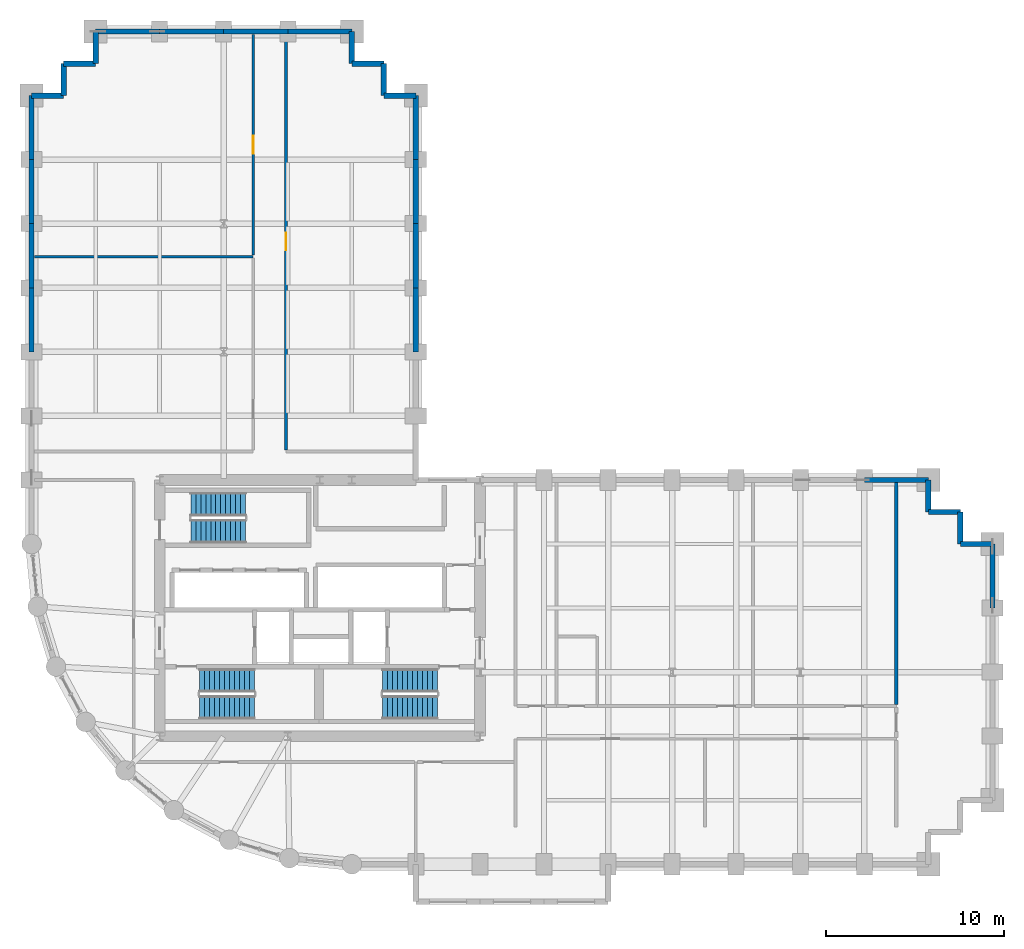
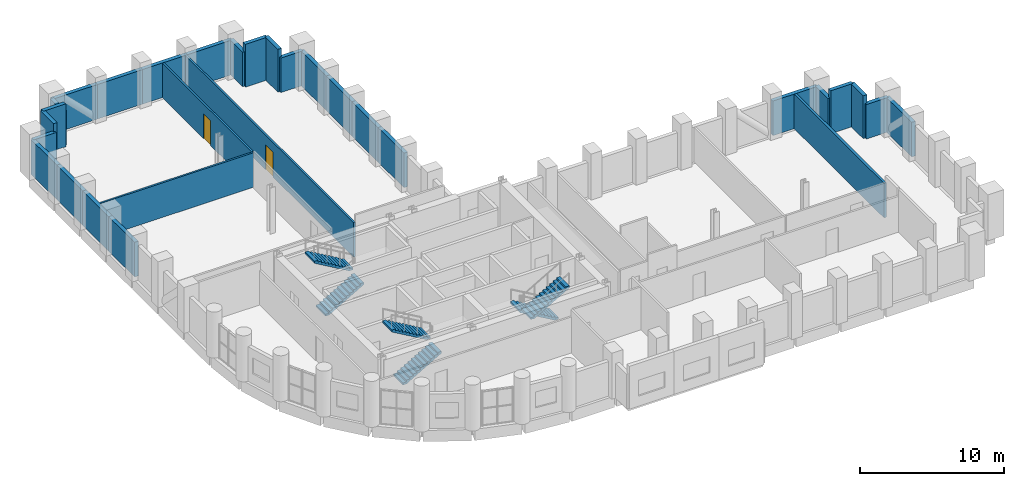
# One storey, part 11 of 12: 30 walls, 6 stair flights, 2 doors, 2 openings, 3 elements without a shape of their own.
"""IFC4 building model written with IfcOpenShell, lengths in metres."""

from ifc_helpers import new_model, si_unit, direction, frame, frame_2d, origin, place, context, subcontext, project, spatial, polyline, rectangle, outline, extrude, material, layer, layer_set, type_object, element, fill, aggregate, save


model = new_model("IFC4")

# Units and contexts
model_context = context("Model", 3, precision=1e-05, world=origin(), true_north=direction((0.0, 1.0)))
body_context = subcontext(model_context, "Body", "Model", "MODEL_VIEW")
ifc_project = project(units=[si_unit("LENGTHUNIT", "METRE"), si_unit("AREAUNIT", "SQUARE_METRE"), si_unit("VOLUMEUNIT", "CUBIC_METRE"), si_unit("PLANEANGLEUNIT", "RADIAN"), si_unit("MASSUNIT", "GRAM", prefix="KILO")], contexts=[model_context])

# Site, building, storey
site_placement = place(None, origin())
site = spatial("IfcSite", under=ifc_project, at=site_placement, CompositionType="ELEMENT")
building_placement = place(site_placement, origin())
building = spatial("IfcBuilding", under=site, at=building_placement, Name="Solnavia Interchange Tower", CompositionType="ELEMENT")
storey_placement = place(building_placement, frame((0.0, 0.0, 27.89990234375)))
storey = spatial("IfcBuildingStorey", under=building, at=storey_placement, Name="L06", CompositionType="ELEMENT", Elevation=27.89990234375)

# Walls
ifc_material_1 = material(Name="Gypsum Acoustic Twin-Stud & Mineral Wool", Category="gypsum")
ifc_layer_1 = layer(ifc_material_1, 0.199951171875)
ifc_layer_set_1 = layer_set([ifc_layer_1], Name="Gypsum Acoustic Twin-Stud & Mineral Wool")
wall_type_1 = type_object("IfcWallType", Name="Wall-ApartmentParty-200", PredefinedType="PARTITIONING", material=ifc_layer_set_1)
wall_1_placement = place(storey_placement, frame((55.800048828125, 12.5791015625, 0.0), z_axis=(0.0, 0.0, 1.0), x_axis=(0.0, 1.0, 0.0)))
element("IfcWall", 1, at=wall_1_placement, inside=storey, type_object=wall_type_1, Name="PTW-L06-21 Interior partition wall", PredefinedType="PARTITIONING", context=body_context, shape_type="SweptSolid", body=[
    extrude(rectangle(XDim=12.466796875, YDim=0.199951171875, at=frame_2d((6.2333984375, 0.0))), origin(), (0.0, 0.0, 1.0), 2.93017578125),
])
ifc_material_2 = material(Name="Concrete C40/50", Category="concrete")
ifc_layer_2 = layer(ifc_material_2, 0.300048828125)
ifc_layer_set_2 = layer_set([ifc_layer_2], Name="Concrete C40/50")
wall_type_2 = type_object("IfcWallType", Name="Wall-ExtSpandrel-300", PredefinedType="STANDARD", material=ifc_layer_set_2)
wall_2_placement = place(storey_placement, frame((61.199951171875, 21.60009765625, 0.0), z_axis=(0.0, 0.0, 1.0), x_axis=(0.0, -1.0, 0.0)))
element("IfcWall", 2, at=wall_2_placement, inside=storey, type_object=wall_type_2, Name="EXW-L06-19 Exterior precast spandrel wall", PredefinedType="STANDARD", context=body_context, shape_type="SweptSolid", body=[
    extrude(rectangle(XDim=3.60009765625, YDim=0.300048828125, at=frame_2d((1.800048828125, 0.0))), origin(), (0.0, 0.0, 1.0), 2.93017578125),
])
wall_3_placement = place(storey_placement, frame((61.199951171875, 21.60009765625, 0.0), z_axis=(0.0, 0.0, 1.0), x_axis=(-1.0, 0.0, 0.0)))
element("IfcWall", 3, at=wall_3_placement, inside=storey, type_object=wall_type_2, Name="EXW-L06-20 Exterior precast spandrel wall", PredefinedType="STANDARD", context=body_context, shape_type="SweptSolid", body=[
    extrude(rectangle(XDim=1.800048828125, YDim=0.300048828125, at=frame_2d((0.89990234375, 0.0))), origin(), (0.0, 0.0, 1.0), 2.93017578125),
])
for number, where, z_axis, x_axis, name in (
    (4, (59.39990234375, 23.39990234375, 0.0), (0.0, 0.0, 1.0), (0.0, -1.0, 0.0), "EXW-L06-21 Exterior precast spandrel wall"),
    (5, (57.60009765625, 23.39990234375, 0.0), (0.0, 0.0, 1.0), (1.0, 0.0, 0.0), "EXW-L06-22 Exterior precast spandrel wall"),
):
    element("IfcWall", number, at=place(storey_placement, frame(where, z_axis=z_axis, x_axis=x_axis)), inside=storey, type_object=wall_type_2, Name=name, PredefinedType="STANDARD", context=body_context, shape_type="SweptSolid", body=[
        extrude(rectangle(XDim=1.7998046875, YDim=0.300048828125, at=frame_2d((0.89990234375, 0.0))), origin(), (0.0, 0.0, 1.0), 3.635009765625),
    ])
wall_4_placement = place(storey_placement, frame((57.60009765625, 25.199951171875, 0.0), z_axis=(0.0, 0.0, 1.0), x_axis=(0.0, -1.0, 0.0)))
element("IfcWall", 6, at=wall_4_placement, inside=storey, type_object=wall_type_2, Name="EXW-L06-23 Exterior precast spandrel wall", PredefinedType="STANDARD", context=body_context, shape_type="SweptSolid", body=[
    extrude(rectangle(XDim=1.800048828125, YDim=0.300048828125, at=frame_2d((0.89990234375, 0.0))), origin(), (0.0, 0.0, 1.0), 2.93017578125),
])
for number, where, z_axis, x_axis, name in (
    (7, (54.0, 25.199951171875, 0.0), (0.0, 0.0, 1.0), (1.0, 0.0, 0.0), "EXW-L06-24 Exterior precast spandrel wall"),
    (8, (28.800048828125, 32.39990234375, 0.0), (0.0, 0.0, 1.0), (0.0, 1.0, 0.0), "EXW-L06-34 Exterior precast spandrel wall"),
    (9, (28.800048828125, 36.0, 0.0), (0.0, 0.0, 1.0), (0.0, 1.0, 0.0), "EXW-L06-35 Exterior precast spandrel wall"),
):
    element("IfcWall", number, at=place(storey_placement, frame(where, z_axis=z_axis, x_axis=x_axis)), inside=storey, type_object=wall_type_2, Name=name, PredefinedType="STANDARD", context=body_context, shape_type="SweptSolid", body=[
        extrude(rectangle(XDim=3.60009765625, YDim=0.300048828125, at=frame_2d((1.800048828125, 0.0))), origin(), (0.0, 0.0, 1.0), 2.93017578125),
    ])
wall_5_placement = place(storey_placement, frame((28.800048828125, 39.60009765625, 0.0), z_axis=(0.0, 0.0, 1.0), x_axis=(0.0, 1.0, 0.0)))
element("IfcWall", 10, at=wall_5_placement, inside=storey, type_object=wall_type_2, Name="EXW-L06-36 Exterior precast spandrel wall", PredefinedType="STANDARD", context=body_context, shape_type="SweptSolid", body=[
    extrude(rectangle(XDim=3.599853515625, YDim=0.300048828125, at=frame_2d((1.7998046875, 0.0))), origin(), (0.0, 0.0, 1.0), 2.93017578125),
])
wall_6_placement = place(storey_placement, frame((28.800048828125, 43.199951171875, 0.0), z_axis=(0.0, 0.0, 1.0), x_axis=(0.0, 1.0, 0.0)))
element("IfcWall", 11, at=wall_6_placement, inside=storey, type_object=wall_type_2, Name="EXW-L06-37 Exterior precast spandrel wall", PredefinedType="STANDARD", context=body_context, shape_type="SweptSolid", body=[
    extrude(rectangle(XDim=3.60009765625, YDim=0.300048828125, at=frame_2d((1.800048828125, 0.0))), origin(), (0.0, 0.0, 1.0), 2.93017578125),
])
wall_7_placement = place(storey_placement, frame((27.0, 46.800048828125, 0.0), z_axis=(0.0, 0.0, 1.0), x_axis=(1.0, 0.0, 0.0)))
element("IfcWall", 12, at=wall_7_placement, inside=storey, type_object=wall_type_2, Name="EXW-L06-38 Exterior precast spandrel wall", PredefinedType="STANDARD", context=body_context, shape_type="SweptSolid", body=[
    extrude(rectangle(XDim=1.800048828125, YDim=0.300048828125, at=frame_2d((0.89990234375, 0.0))), origin(), (0.0, 0.0, 1.0), 2.93017578125),
])
for number, where, z_axis, x_axis, name in (
    (13, (27.0, 46.800048828125, 0.0), (0.0, 0.0, 1.0), (0.0, 1.0, 0.0), "EXW-L06-39 Exterior precast spandrel wall"),
    (14, (25.199951171875, 48.60009765625, 0.0), (0.0, 0.0, 1.0), (1.0, 0.0, 0.0), "EXW-L06-40 Exterior precast spandrel wall"),
):
    element("IfcWall", number, at=place(storey_placement, frame(where, z_axis=z_axis, x_axis=x_axis)), inside=storey, type_object=wall_type_2, Name=name, PredefinedType="STANDARD", context=body_context, shape_type="SweptSolid", body=[
        extrude(rectangle(XDim=1.800048828125, YDim=0.300048828125, at=frame_2d((0.89990234375, 0.0))), origin(), (0.0, 0.0, 1.0), 3.635009765625),
    ])
wall_8_placement = place(storey_placement, frame((25.199951171875, 48.60009765625, 0.0), z_axis=(0.0, 0.0, 1.0), x_axis=(0.0, 1.0, 0.0)))
element("IfcWall", 15, at=wall_8_placement, inside=storey, type_object=wall_type_2, Name="EXW-L06-41 Exterior precast spandrel wall", PredefinedType="STANDARD", context=body_context, shape_type="SweptSolid", body=[
    extrude(rectangle(XDim=1.7998046875, YDim=0.300048828125, at=frame_2d((0.89990234375, 0.0))), origin(), (0.0, 0.0, 1.0), 2.93017578125),
])
wall_9_placement = place(storey_placement, frame((21.60009765625, 50.39990234375, 0.0), z_axis=(0.0, 0.0, 1.0), x_axis=(1.0, 0.0, 0.0)))
element("IfcWall", 16, at=wall_9_placement, inside=storey, type_object=wall_type_2, Name="EXW-L06-42 Exterior precast spandrel wall", PredefinedType="STANDARD", context=body_context, shape_type="SweptSolid", body=[
    extrude(rectangle(XDim=3.599853515625, YDim=0.300048828125, at=frame_2d((1.7998046875, 0.0))), origin(), (0.0, 0.0, 1.0), 2.93017578125),
])
for number, where, z_axis, x_axis, name in (
    (17, (18.0, 50.39990234375, 0.0), (0.0, 0.0, 1.0), (1.0, 0.0, 0.0), "EXW-L06-43 Exterior precast spandrel wall"),
    (18, (14.39990234375, 50.39990234375, 0.0), (0.0, 0.0, 1.0), (1.0, 0.0, 0.0), "EXW-L06-44 Exterior precast spandrel wall"),
):
    element("IfcWall", number, at=place(storey_placement, frame(where, z_axis=z_axis, x_axis=x_axis)), inside=storey, type_object=wall_type_2, Name=name, PredefinedType="STANDARD", context=body_context, shape_type="SweptSolid", body=[
        extrude(rectangle(XDim=3.60009765625, YDim=0.300048828125, at=frame_2d((1.800048828125, 0.0))), origin(), (0.0, 0.0, 1.0), 2.93017578125),
    ])
wall_10_placement = place(storey_placement, frame((10.800048828125, 50.39990234375, 0.0), z_axis=(0.0, 0.0, 1.0), x_axis=(1.0, 0.0, 0.0)))
element("IfcWall", 19, at=wall_10_placement, inside=storey, type_object=wall_type_2, Name="EXW-L06-45 Exterior precast spandrel wall", PredefinedType="STANDARD", context=body_context, shape_type="SweptSolid", body=[
    extrude(rectangle(XDim=3.599853515625, YDim=0.300048828125, at=frame_2d((1.7998046875, 0.0))), origin(), (0.0, 0.0, 1.0), 2.93017578125),
])
wall_11_placement = place(storey_placement, frame((10.800048828125, 48.60009765625, 0.0), z_axis=(0.0, 0.0, 1.0), x_axis=(0.0, 1.0, 0.0)))
element("IfcWall", 20, at=wall_11_placement, inside=storey, type_object=wall_type_2, Name="EXW-L06-46 Exterior precast spandrel wall", PredefinedType="STANDARD", context=body_context, shape_type="SweptSolid", body=[
    extrude(rectangle(XDim=1.7998046875, YDim=0.300048828125, at=frame_2d((0.89990234375, 0.0))), origin(), (0.0, 0.0, 1.0), 2.93017578125),
])
for number, where, z_axis, x_axis, name in (
    (21, (9.0, 48.60009765625, 0.0), (0.0, 0.0, 1.0), (1.0, 0.0, 0.0), "EXW-L06-47 Exterior precast spandrel wall"),
    (22, (9.0, 46.800048828125, 0.0), (0.0, 0.0, 1.0), (0.0, 1.0, 0.0), "EXW-L06-48 Exterior precast spandrel wall"),
):
    element("IfcWall", number, at=place(storey_placement, frame(where, z_axis=z_axis, x_axis=x_axis)), inside=storey, type_object=wall_type_2, Name=name, PredefinedType="STANDARD", context=body_context, shape_type="SweptSolid", body=[
        extrude(rectangle(XDim=1.800048828125, YDim=0.300048828125, at=frame_2d((0.89990234375, 0.0))), origin(), (0.0, 0.0, 1.0), 3.635009765625),
    ])
wall_12_placement = place(storey_placement, frame((7.199951171875, 46.800048828125, 0.0), z_axis=(0.0, 0.0, 1.0), x_axis=(1.0, 0.0, 0.0)))
element("IfcWall", 23, at=wall_12_placement, inside=storey, type_object=wall_type_2, Name="EXW-L06-49 Exterior precast spandrel wall", PredefinedType="STANDARD", context=body_context, shape_type="SweptSolid", body=[
    extrude(rectangle(XDim=1.800048828125, YDim=0.300048828125, at=frame_2d((0.89990234375, 0.0))), origin(), (0.0, 0.0, 1.0), 2.93017578125),
])
wall_13_placement = place(storey_placement, frame((7.199951171875, 43.199951171875, 0.0), z_axis=(0.0, 0.0, 1.0), x_axis=(0.0, 1.0, 0.0)))
element("IfcWall", 24, at=wall_13_placement, inside=storey, type_object=wall_type_2, Name="EXW-L06-50 Exterior precast spandrel wall", PredefinedType="STANDARD", context=body_context, shape_type="SweptSolid", body=[
    extrude(rectangle(XDim=3.60009765625, YDim=0.300048828125, at=frame_2d((1.800048828125, 0.0))), origin(), (0.0, 0.0, 1.0), 2.93017578125),
])
wall_14_placement = place(storey_placement, frame((7.199951171875, 39.60009765625, 0.0), z_axis=(0.0, 0.0, 1.0), x_axis=(0.0, 1.0, 0.0)))
element("IfcWall", 25, at=wall_14_placement, inside=storey, type_object=wall_type_2, Name="EXW-L06-51 Exterior precast spandrel wall", PredefinedType="STANDARD", context=body_context, shape_type="SweptSolid", body=[
    extrude(rectangle(XDim=3.599853515625, YDim=0.300048828125, at=frame_2d((1.7998046875, 0.0))), origin(), (0.0, 0.0, 1.0), 2.93017578125),
])
for number, where, z_axis, x_axis, name in (
    (26, (7.199951171875, 36.0, 0.0), (0.0, 0.0, 1.0), (0.0, 1.0, 0.0), "EXW-L06-52 Exterior precast spandrel wall"),
    (27, (7.199951171875, 32.39990234375, 0.0), (0.0, 0.0, 1.0), (0.0, 1.0, 0.0), "EXW-L06-53 Exterior precast spandrel wall"),
):
    element("IfcWall", number, at=place(storey_placement, frame(where, z_axis=z_axis, x_axis=x_axis)), inside=storey, type_object=wall_type_2, Name=name, PredefinedType="STANDARD", context=body_context, shape_type="SweptSolid", body=[
        extrude(rectangle(XDim=3.60009765625, YDim=0.300048828125, at=frame_2d((1.800048828125, 0.0))), origin(), (0.0, 0.0, 1.0), 2.93017578125),
    ])
ifc_material_3 = material(Name="Gypsum Plasterboard & Steel Stud", Category="steel")
ifc_layer_3 = layer(ifc_material_3, 0.14990234375)
ifc_layer_set_3 = layer_set([ifc_layer_3], Name="Gypsum Plasterboard & Steel Stud")
wall_type_3 = type_object("IfcWallType", Name="Wall-Partition-150", PredefinedType="PARTITIONING", material=ifc_layer_set_3)
wall_15_placement = place(storey_placement, frame((7.35400390625, 37.75, 0.0), z_axis=(0.0, 0.0, 1.0), x_axis=(1.0, 0.0, 0.0)))
element("IfcWall", 28, at=wall_15_placement, inside=storey, type_object=wall_type_3, Name="PTW-L06-24 Interior partition wall", PredefinedType="PARTITIONING", context=body_context, shape_type="SweptSolid", body=[
    extrude(rectangle(XDim=12.2958984375, YDim=0.14990234375, at=frame_2d((6.14794921875, 0.0))), origin(), (0.0, 0.0, 1.0), 2.93017578125),
])

# Wall, opening, door
wall_16_placement = place(storey_placement, frame((19.64990234375, 37.8291015625, 0.0), z_axis=(0.0, 0.0, 1.0), x_axis=(0.0, 1.0, 0.0)))
wall_16 = element("IfcWall", 29, at=wall_16_placement, inside=storey, type_object=wall_type_3, Name="PTW-L06-26 Interior partition wall", PredefinedType="PARTITIONING", context=body_context, shape_type="SweptSolid", body=[
    extrude(rectangle(XDim=12.4169921875, YDim=0.14990234375, at=frame_2d((6.20849609375, 0.0))), origin(), (0.0, 0.0, 1.0), 2.93017578125),
])
opening_1_placement = place(wall_16_placement, frame((5.7060546875, 0.0, 0.0)))
opening_1 = element("IfcOpeningElement", 30, at=opening_1_placement, cuts=wall_16, Name="Opening DR-07", PredefinedType="OPENING", context=body_context, shape_type="SweptSolid", body=[
    extrude(rectangle(XDim=1.0, YDim=2.10009765625, at=frame_2d((0.5, 1.050048828125))), frame((0.0, 0.0849609375, 0.0), z_axis=(0.0, -1.0, 0.0), x_axis=(1.0, 0.0, 0.0)), (0.0, 0.0, 1.0), 0.169921875),
])
ifc_material_4 = material(Name="Timber & Acoustic Glazed Office Door", Category="wood")
door_type = type_object("IfcDoorType", Name="Door-Office-1000x2100", OperationType="SINGLE_SWING_RIGHT", PredefinedType="DOOR", material=ifc_material_4)
door_1_placement = place(opening_1_placement, origin())
door_1 = element("IfcDoor", 31, at=door_1_placement, inside=storey, type_object=door_type, Name="DR-L06-12 Interior room door", OperationType="SINGLE_SWING_RIGHT", OverallHeight=2.10009765625, OverallWidth=1.0, PredefinedType="DOOR", context=body_context, shape_type="SweptSolid", body=[
    extrude(rectangle(XDim=1.0, YDim=2.10009765625, at=frame_2d((0.5, 1.050048828125))), frame((0.0, 0.02490234375, 0.0), z_axis=(0.0, -1.0, 0.0), x_axis=(1.0, 0.0, 0.0)), (0.0, 0.0, 1.0), 0.050048828125),
])
fill(opening_1, door_1)

wall_17_placement = place(storey_placement, frame((21.5, 26.87890625, 0.0), z_axis=(0.0, 0.0, 1.0), x_axis=(0.0, 1.0, 0.0)))
wall_17 = element("IfcWall", 32, at=wall_17_placement, inside=storey, type_object=wall_type_3, Name="PTW-L06-28 Interior partition wall", PredefinedType="PARTITIONING", context=body_context, shape_type="SweptSolid", body=[
    extrude(rectangle(XDim=23.3671875, YDim=0.14990234375, at=frame_2d((11.68359375, 0.0))), origin(), (0.0, 0.0, 1.0), 2.93017578125),
])
opening_2_placement = place(wall_17_placement, frame((11.220947265625, 0.0, 0.0)))
opening_2 = element("IfcOpeningElement", 33, at=opening_2_placement, cuts=wall_17, Name="Opening DR-07", PredefinedType="OPENING", context=body_context, shape_type="SweptSolid", body=[
    extrude(rectangle(XDim=1.0, YDim=2.10009765625, at=frame_2d((0.5, 1.050048828125))), frame((0.0, 0.0849609375, 0.0), z_axis=(0.0, -1.0, 0.0), x_axis=(1.0, 0.0, 0.0)), (0.0, 0.0, 1.0), 0.169921875),
])
door_2_placement = place(opening_2_placement, origin())
door_2 = element("IfcDoor", 34, at=door_2_placement, inside=storey, type_object=door_type, Name="DR-L06-13 Interior room door", OperationType="SINGLE_SWING_LEFT", OverallHeight=2.10009765625, OverallWidth=1.0, PredefinedType="DOOR", context=body_context, shape_type="SweptSolid", body=[
    extrude(rectangle(XDim=1.0, YDim=2.10009765625, at=frame_2d((0.5, 1.050048828125))), frame((0.0, 0.02490234375, 0.0), z_axis=(0.0, -1.0, 0.0), x_axis=(1.0, 0.0, 0.0)), (0.0, 0.0, 1.0), 0.050048828125),
])
fill(opening_2, door_2)

# Stair, stair flights
stair_type = type_object("IfcStairType", Name="Stair-Dogleg-RC", PredefinedType="HALF_TURN_STAIR", material=ifc_material_2)
stair_1_placement = place(storey_placement, origin())
stair_1 = element("IfcStair", 35, at=stair_1_placement, inside=storey, type_object=stair_type, Name="L06 Core exit stair 1", PredefinedType="HALF_TURN_STAIR")
stair_flight_type = type_object("IfcStairFlightType", Name="StairFlight-RC-150", PredefinedType="STRAIGHT", material=ifc_material_2)
stair_flight_1_placement = place(storey_placement, frame((16.64990234375, 12.409912109375, 0.0), z_axis=(0.0, 0.0, 1.0), x_axis=(1.0, 0.0, 0.0)))
stair_flight_1 = element("IfcStairFlight", 36, at=stair_flight_1_placement, type_object=stair_flight_type, Name="ST-1 flight 1", NumberOfRisers=12, NumberOfTreads=11, PredefinedType="STRAIGHT", RiserHeight=0.1625, TreadLength=0.28, context=body_context, shape_type="SweptSolid", body=[
    extrude(outline(polyline([(0.0, 0.0), (0.0, 0.16259765625), (0.280029296875, 0.16259765625), (0.280029296875, 0.324951171875), (0.56005859375, 0.324951171875), (0.56005859375, 0.487548828125), (0.840087890625, 0.487548828125), (0.840087890625, 0.64990234375), (1.1201171875, 0.64990234375), (1.1201171875, 0.8125), (1.39990234375, 0.8125), (1.39990234375, 0.97509765625), (1.679931640625, 0.97509765625), (1.679931640625, 1.137451171875), (1.9599609375, 1.137451171875), (1.9599609375, 1.300048828125), (2.239990234375, 1.300048828125), (2.239990234375, 1.46240234375), (2.52001953125, 1.46240234375), (2.52001953125, 1.625), (2.800048828125, 1.625), (2.800048828125, 1.78759765625), (3.080078125, 1.78759765625), (3.080078125, 1.949951171875), (3.080078125, 1.6142578125), (0.298583984375, 0.0), (0.0, 0.0)])), frame((0.0, 0.66015625, 0.0), z_axis=(0.0, -1.0, 0.0), x_axis=(1.0, 0.0, 0.0)), (0.0, 0.0, 1.0), 1.320068359375),
])
stair_flight_2_placement = place(storey_placement, frame((19.72998046875, 13.929931640625, 1.9501953125), z_axis=(0.0, 0.0, 1.0), x_axis=(-1.0, 0.0, 0.0)))
stair_flight_2 = element("IfcStairFlight", 37, at=stair_flight_2_placement, type_object=stair_flight_type, Name="ST-1 flight 2", NumberOfRisers=12, NumberOfTreads=11, PredefinedType="STRAIGHT", RiserHeight=0.1625, TreadLength=0.28, context=body_context, shape_type="SweptSolid", body=[
    extrude(outline(polyline([(0.0, 0.0), (0.0, 0.16259765625), (0.280029296875, 0.16259765625), (0.280029296875, 0.324951171875), (0.56005859375, 0.324951171875), (0.56005859375, 0.487548828125), (0.840087890625, 0.487548828125), (0.840087890625, 0.64990234375), (1.1201171875, 0.64990234375), (1.1201171875, 0.8125), (1.39990234375, 0.8125), (1.39990234375, 0.97509765625), (1.679931640625, 0.97509765625), (1.679931640625, 1.137451171875), (1.9599609375, 1.137451171875), (1.9599609375, 1.300048828125), (2.239990234375, 1.300048828125), (2.239990234375, 1.46240234375), (2.52001953125, 1.46240234375), (2.52001953125, 1.625), (2.800048828125, 1.625), (2.800048828125, 1.78759765625), (3.080078125, 1.78759765625), (3.080078125, 1.949951171875), (3.080078125, 1.6142578125), (0.298583984375, 0.0), (0.0, 0.0)])), frame((0.0, 0.66015625, 0.0), z_axis=(0.0, -1.0, 0.0), x_axis=(1.0, 0.0, 0.0)), (0.0, 0.0, 1.0), 1.320068359375),
])
aggregate(stair_1, [stair_flight_1, stair_flight_2])

stair_2_placement = place(storey_placement, origin())
stair_2 = element("IfcStair", 38, at=stair_2_placement, inside=storey, type_object=stair_type, Name="L06 Core exit stair 2", PredefinedType="HALF_TURN_STAIR")
stair_flight_3_placement = place(storey_placement, frame((30.0, 13.929931640625, 0.0), z_axis=(0.0, 0.0, 1.0), x_axis=(-1.0, 0.0, 0.0)))
stair_flight_3 = element("IfcStairFlight", 39, at=stair_flight_3_placement, type_object=stair_flight_type, Name="ST-2 flight 1", NumberOfRisers=12, NumberOfTreads=11, PredefinedType="STRAIGHT", RiserHeight=0.1625, TreadLength=0.28, context=body_context, shape_type="SweptSolid", body=[
    extrude(outline(polyline([(0.0, 0.0), (0.0, 0.16259765625), (0.280029296875, 0.16259765625), (0.280029296875, 0.324951171875), (0.56005859375, 0.324951171875), (0.56005859375, 0.487548828125), (0.840087890625, 0.487548828125), (0.840087890625, 0.64990234375), (1.1201171875, 0.64990234375), (1.1201171875, 0.8125), (1.39990234375, 0.8125), (1.39990234375, 0.97509765625), (1.679931640625, 0.97509765625), (1.679931640625, 1.137451171875), (1.9599609375, 1.137451171875), (1.9599609375, 1.300048828125), (2.239990234375, 1.300048828125), (2.239990234375, 1.46240234375), (2.52001953125, 1.46240234375), (2.52001953125, 1.625), (2.800048828125, 1.625), (2.800048828125, 1.78759765625), (3.080078125, 1.78759765625), (3.080078125, 1.949951171875), (3.080078125, 1.6142578125), (0.298583984375, 0.0), (0.0, 0.0)])), frame((0.0, 0.66015625, 0.0), z_axis=(0.0, -1.0, 0.0), x_axis=(1.0, 0.0, 0.0)), (0.0, 0.0, 1.0), 1.320068359375),
])
stair_flight_4_placement = place(storey_placement, frame((26.919921875, 12.409912109375, 1.9501953125), z_axis=(0.0, 0.0, 1.0), x_axis=(1.0, 0.0, 0.0)))
stair_flight_4 = element("IfcStairFlight", 40, at=stair_flight_4_placement, type_object=stair_flight_type, Name="ST-2 flight 2", NumberOfRisers=12, NumberOfTreads=11, PredefinedType="STRAIGHT", RiserHeight=0.1625, TreadLength=0.28, context=body_context, shape_type="SweptSolid", body=[
    extrude(outline(polyline([(0.0, 0.0), (0.0, 0.16259765625), (0.280029296875, 0.16259765625), (0.280029296875, 0.324951171875), (0.56005859375, 0.324951171875), (0.56005859375, 0.487548828125), (0.840087890625, 0.487548828125), (0.840087890625, 0.64990234375), (1.1201171875, 0.64990234375), (1.1201171875, 0.8125), (1.39990234375, 0.8125), (1.39990234375, 0.97509765625), (1.679931640625, 0.97509765625), (1.679931640625, 1.137451171875), (1.9599609375, 1.137451171875), (1.9599609375, 1.300048828125), (2.239990234375, 1.300048828125), (2.239990234375, 1.46240234375), (2.52001953125, 1.46240234375), (2.52001953125, 1.625), (2.800048828125, 1.625), (2.800048828125, 1.78759765625), (3.080078125, 1.78759765625), (3.080078125, 1.949951171875), (3.080078125, 1.6142578125), (0.298583984375, 0.0), (0.0, 0.0)])), frame((0.0, 0.66015625, 0.0), z_axis=(0.0, -1.0, 0.0), x_axis=(1.0, 0.0, 0.0)), (0.0, 0.0, 1.0), 1.320068359375),
])
aggregate(stair_2, [stair_flight_3, stair_flight_4])

stair_3_placement = place(storey_placement, origin())
stair_3 = element("IfcStair", 41, at=stair_3_placement, inside=storey, type_object=stair_type, Name="L06 Core exit stair 3", PredefinedType="HALF_TURN_STAIR")
stair_flight_5_placement = place(storey_placement, frame((16.14990234375, 22.31005859375, 0.0), z_axis=(0.0, 0.0, 1.0), x_axis=(1.0, 0.0, 0.0)))
stair_flight_5 = element("IfcStairFlight", 42, at=stair_flight_5_placement, type_object=stair_flight_type, Name="ST-3 flight 1", NumberOfRisers=12, NumberOfTreads=11, PredefinedType="STRAIGHT", RiserHeight=0.1625, TreadLength=0.28, context=body_context, shape_type="SweptSolid", body=[
    extrude(outline(polyline([(0.0, 0.0), (0.0, 0.16259765625), (0.280029296875, 0.16259765625), (0.280029296875, 0.324951171875), (0.56005859375, 0.324951171875), (0.56005859375, 0.487548828125), (0.840087890625, 0.487548828125), (0.840087890625, 0.64990234375), (1.1201171875, 0.64990234375), (1.1201171875, 0.8125), (1.39990234375, 0.8125), (1.39990234375, 0.97509765625), (1.679931640625, 0.97509765625), (1.679931640625, 1.137451171875), (1.9599609375, 1.137451171875), (1.9599609375, 1.300048828125), (2.239990234375, 1.300048828125), (2.239990234375, 1.46240234375), (2.52001953125, 1.46240234375), (2.52001953125, 1.625), (2.800048828125, 1.625), (2.800048828125, 1.78759765625), (3.080078125, 1.78759765625), (3.080078125, 1.949951171875), (3.080078125, 1.6142578125), (0.298583984375, 0.0), (0.0, 0.0)])), frame((0.0, 0.66015625, 0.0), z_axis=(0.0, -1.0, 0.0), x_axis=(1.0, 0.0, 0.0)), (0.0, 0.0, 1.0), 1.320068359375),
])
stair_flight_6_placement = place(storey_placement, frame((19.22998046875, 23.830078125, 1.9501953125), z_axis=(0.0, 0.0, 1.0), x_axis=(-1.0, 0.0, 0.0)))
stair_flight_6 = element("IfcStairFlight", 43, at=stair_flight_6_placement, type_object=stair_flight_type, Name="ST-3 flight 2", NumberOfRisers=12, NumberOfTreads=11, PredefinedType="STRAIGHT", RiserHeight=0.1625, TreadLength=0.28, context=body_context, shape_type="SweptSolid", body=[
    extrude(outline(polyline([(0.0, 0.0), (0.0, 0.16259765625), (0.280029296875, 0.16259765625), (0.280029296875, 0.324951171875), (0.56005859375, 0.324951171875), (0.56005859375, 0.487548828125), (0.840087890625, 0.487548828125), (0.840087890625, 0.64990234375), (1.1201171875, 0.64990234375), (1.1201171875, 0.8125), (1.39990234375, 0.8125), (1.39990234375, 0.97509765625), (1.679931640625, 0.97509765625), (1.679931640625, 1.137451171875), (1.9599609375, 1.137451171875), (1.9599609375, 1.300048828125), (2.239990234375, 1.300048828125), (2.239990234375, 1.46240234375), (2.52001953125, 1.46240234375), (2.52001953125, 1.625), (2.800048828125, 1.625), (2.800048828125, 1.78759765625), (3.080078125, 1.78759765625), (3.080078125, 1.949951171875), (3.080078125, 1.6142578125), (0.298583984375, 0.0), (0.0, 0.0)])), frame((0.0, 0.66015625, 0.0), z_axis=(0.0, -1.0, 0.0), x_axis=(1.0, 0.0, 0.0)), (0.0, 0.0, 1.0), 1.320068359375),
])
aggregate(stair_3, [stair_flight_5, stair_flight_6])

save(model, "model.ifc")
